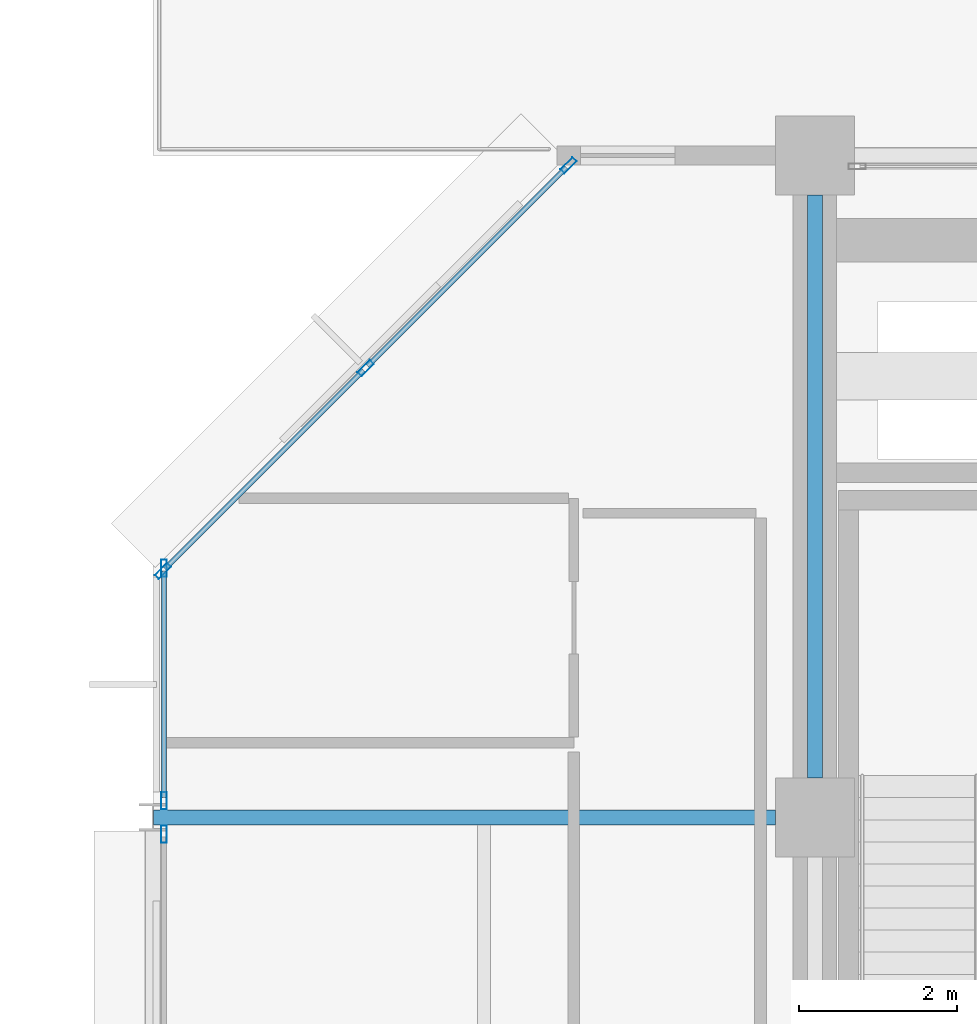
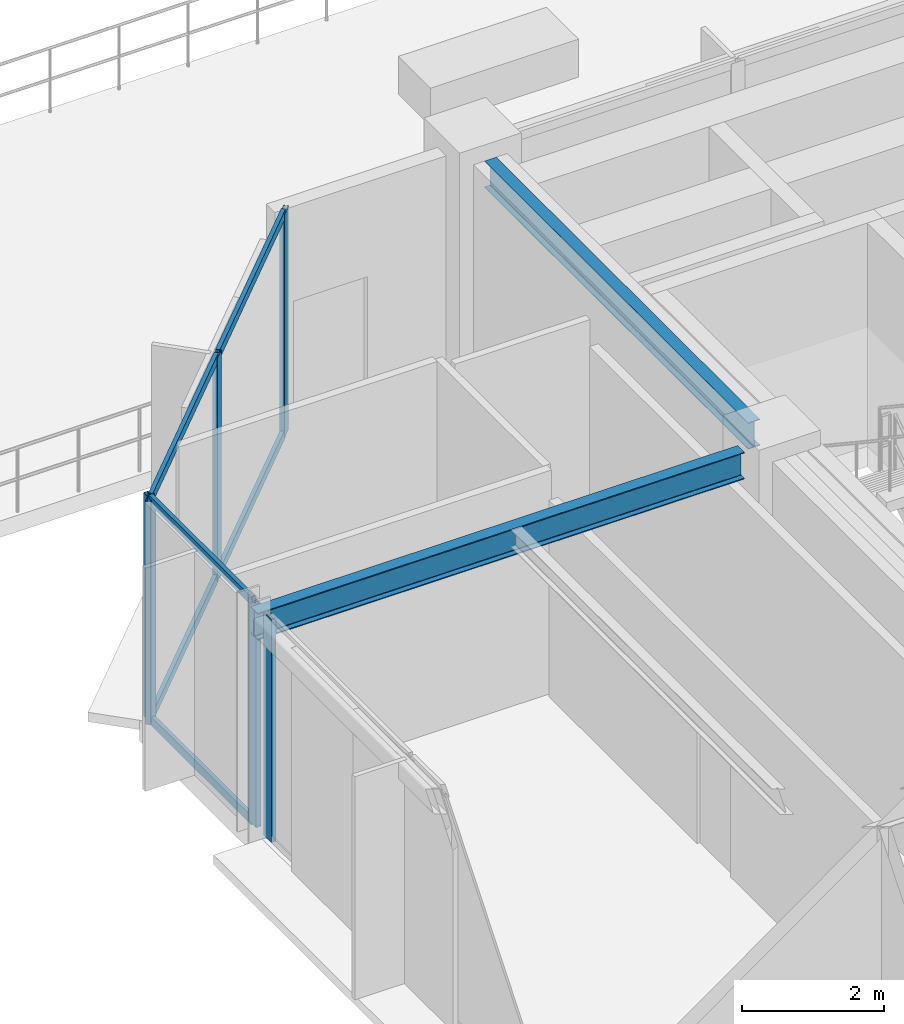
# One storey, part 12 of 21: 12 members, 2 beams, 3 elements without a shape of their own.
"""IFC4 building model written with IfcOpenShell, lengths in metres."""

import ifcopenshell
import ifcopenshell.guid

model = None  # the IFC model being written
_history = None  # IfcOwnerHistory: only IFC2X3 demands one
_inside = {}  # id of a spatial element -> (the spatial element, [elements in it])
_under = {}  # id of a project, library or spatial element -> (it, [spatial elements below it])
_declared = {}  # id of a project -> (the project, [libraries it declares])
_typed = {}  # id of a type object -> (the type object, [elements of that type])
_made_of = {}  # id of a material, layer set ... -> (it, [elements and type objects made of it])


def new_model(schema):
    """Start an empty IFC model of exactly this schema.

    Asked for "IFC4X3", IfcOpenShell would pick the latest addendum, in which some entities
    have other attributes; the version numbers below select the first issue.
    IFC2X3 requires an IfcOwnerHistory on every rooted entity: one is made here for all.
    """
    global model, _history
    if schema == "IFC4X3":
        model = ifcopenshell.file(schema_version=(4, 3, 0, 0))
    else:
        model = ifcopenshell.file(schema=schema)
    _inside.clear()
    _under.clear()
    _declared.clear()
    _typed.clear()
    _made_of.clear()
    _history = None
    if model.schema == "IFC2X3":
        org = make("IfcOrganization", Name="unknown")
        user = make(
            "IfcPersonAndOrganization",
            ThePerson=make("IfcPerson", FamilyName="unknown"),
            TheOrganization=org,
        )
        app = make(
            "IfcApplication",
            ApplicationDeveloper=org,
            Version="unknown",
            ApplicationFullName="unknown",
            ApplicationIdentifier="unknown",
        )
        _history = make(
            "IfcOwnerHistory",
            OwningUser=user,
            OwningApplication=app,
            ChangeAction="ADDED",
            CreationDate=0,
        )
    return model


def make(cls, **values):
    """One entity of the class cls with the attributes given. An attribute that is None is left unset."""
    return model.create_entity(
        cls, **{name: value for name, value in values.items() if value is not None}
    )


def rooted(cls, **values):
    """An entity with a GlobalId (a new one), such as an element, a storey or a relation."""
    return make(cls, GlobalId=ifcopenshell.guid.new(), OwnerHistory=_history, **values)


def si_unit(unit_type, name, prefix=None):
    """IfcSIUnit, for example si_unit("LENGTHUNIT", "METRE", prefix="MILLI")."""
    return make("IfcSIUnit", UnitType=unit_type, Prefix=prefix, Name=name)


def assignment(units):
    """IfcUnitAssignment: the units of a project."""
    return None if units is None else make("IfcUnitAssignment", Units=units)


def point(xyz):
    """IfcCartesianPoint."""
    return None if xyz is None else make("IfcCartesianPoint", Coordinates=xyz)


def direction(xyz):
    """IfcDirection."""
    return None if xyz is None else make("IfcDirection", DirectionRatios=xyz)


def frame(location, z_axis=None, x_axis=None):
    """IfcAxis2Placement3D, a coordinate frame: its origin and axes. An axis left out is left unset."""
    return make(
        "IfcAxis2Placement3D",
        Location=point(location),
        Axis=direction(z_axis),
        RefDirection=direction(x_axis),
    )


def frame_2d(location, x_axis=None):
    """IfcAxis2Placement2D, a coordinate frame in the plane: its origin and x axis."""
    return make(
        "IfcAxis2Placement2D", Location=point(location), RefDirection=direction(x_axis)
    )


def origin():
    """The frame at (0, 0, 0) with its axes left unset."""
    return frame((0.0, 0.0, 0.0))


def origin_2d():
    """The frame at (0, 0) in the plane with its x axis left unset."""
    return frame_2d((0.0, 0.0))


def place(relative_to, where):
    """IfcLocalPlacement: puts the frame where relative to a parent placement (None: the world)."""
    return make(
        "IfcLocalPlacement", PlacementRelTo=relative_to, RelativePlacement=where
    )


def context(
    kind, dimensions, precision=None, world=None, true_north=None, identifier=None
):
    """IfcGeometricRepresentationContext, for example the 3D "Model" context."""
    return make(
        "IfcGeometricRepresentationContext",
        ContextIdentifier=identifier,
        ContextType=kind,
        CoordinateSpaceDimension=dimensions,
        Precision=precision,
        WorldCoordinateSystem=world,
        TrueNorth=true_north,
    )


def subcontext(parent, identifier, kind, view, scale=None):
    """IfcGeometricRepresentationSubContext, for example "Body" below "Model"."""
    return make(
        "IfcGeometricRepresentationSubContext",
        ContextIdentifier=identifier,
        ContextType=kind,
        ParentContext=parent,
        TargetScale=scale,
        TargetView=view,
    )


def project(units=None, contexts=None):
    """IfcProject with its units and contexts."""
    return rooted(
        "IfcProject",
        Name="project",
        RepresentationContexts=contexts,
        UnitsInContext=assignment(units),
    )


def spatial(cls, under=None, at=None, **own):
    """A site, building, storey or space (cls), placed at a placement, below another one or the project."""
    s = rooted(cls, ObjectPlacement=at, **own)
    if under is not None:
        _under.setdefault(under.id(), (under, []))[1].append(s)
    return s


def profile(cls, at=None, kind="AREA", **sizes):
    """A parametric profile (cls). Its sizes go by their IFC names, for example OverallWidth=200.0."""
    return make(cls, ProfileType=kind, Position=at, **sizes)


def hollow_rectangle(**sizes):
    """IfcRectangleHollowProfileDef."""
    return profile("IfcRectangleHollowProfileDef", **sizes)


def i_section(**sizes):
    """IfcIShapeProfileDef."""
    return profile("IfcIShapeProfileDef", **sizes)


def extrude(swept, where, along, depth):
    """IfcExtrudedAreaSolid: the profile swept, set in the frame where, extruded along a direction by depth."""
    return make(
        "IfcExtrudedAreaSolid",
        SweptArea=swept,
        Position=where,
        ExtrudedDirection=direction(along),
        Depth=depth,
    )


def shape(context_of_items, identifier, shape_type, items):
    """IfcShapeRepresentation: the items that make up one representation, for example the "Body"."""
    return make(
        "IfcShapeRepresentation",
        ContextOfItems=context_of_items,
        RepresentationIdentifier=identifier,
        RepresentationType=shape_type,
        Items=items,
    )


def material(Name=None, Category=None):
    """IfcMaterial."""
    return make("IfcMaterial", Name=Name, Category=Category)


def layer(
    of_material, thickness, ventilated=None, Name=None, Category=None, Priority=None
):
    """IfcMaterialLayer: one layer of a wall or slab, of a material (None: an air gap)."""
    return make(
        "IfcMaterialLayer",
        Material=of_material,
        LayerThickness=thickness,
        IsVentilated=ventilated,
        Name=Name,
        Category=Category,
        Priority=Priority,
    )


def layer_set(layers, Name=None):
    """IfcMaterialLayerSet."""
    return make("IfcMaterialLayerSet", MaterialLayers=layers, LayerSetName=Name)


def material_profile(
    of_material, cross_section, Name=None, Category=None, Priority=None
):
    """IfcMaterialProfile: a cross section and its material."""
    return make(
        "IfcMaterialProfile",
        Name=Name,
        Material=of_material,
        Profile=cross_section,
        Priority=Priority,
        Category=Category,
    )


def profile_set(profiles, Name=None, composite=None):
    """IfcMaterialProfileSet."""
    return make(
        "IfcMaterialProfileSet",
        Name=Name,
        MaterialProfiles=profiles,
        CompositeProfile=composite,
    )


def made_of(thing, what):
    """Note that an element or type object is made of a material, layer set ...; save() writes the relation."""
    if what is not None:
        _made_of.setdefault(what.id(), (what, []))[1].append(thing)
    return thing


def type_object(cls, material=None, **own):
    """A type object (cls), such as IfcWallType, which elements share."""
    return made_of(rooted(cls, **own), material)


def element(
    cls,
    number,
    at=None,
    inside=None,
    cuts=None,
    type_object=None,
    material=None,
    context=None,
    identifier="Body",
    shape_type=None,
    held_by="IfcProductDefinitionShape",
    body=None,
    shapes=None,
    **own,
):
    """One element of the class cls, such as IfcWall. Its Tag is "e" and its number.

    at: its placement. inside: the storey or other place that contains it. cuts: it is an
    opening in that element (IfcRelVoidsElement). A single representation is given by context,
    identifier, shape_type and body (its items); several are given by shapes. held_by: the class
    of the entity that holds the representations. save() writes the other relations.
    """
    e = rooted(cls, Tag="e%d" % number, ObjectPlacement=at, **own)
    if body is not None:
        shapes = [shape(context, identifier, shape_type, body)]
    if shapes is not None:
        e.Representation = make(held_by, Representations=shapes)
    if inside is not None:
        _inside.setdefault(inside.id(), (inside, []))[1].append(e)
    if cuts is not None:
        rooted(
            "IfcRelVoidsElement", RelatingBuildingElement=cuts, RelatedOpeningElement=e
        )
    if type_object is not None:
        _typed.setdefault(type_object.id(), (type_object, []))[1].append(e)
    return made_of(e, material)


def aggregate(whole, parts):
    """IfcRelAggregates: a whole, such as a stair, and the parts it consists of."""
    return rooted("IfcRelAggregates", RelatingObject=whole, RelatedObjects=parts)


def save(model, path):
    """Write the relations noted so far, then the file.

    IfcRelAggregates (storeys below a building ...), IfcRelContainedInSpatialStructure (elements
    in a storey), IfcRelDefinesByType, IfcRelAssociatesMaterial and IfcRelDeclares: one each for
    every whole, place, type object, material and project.
    """
    for whole, parts in _under.values():
        aggregate(whole, parts)
    for where, things in _inside.values():
        rooted(
            "IfcRelContainedInSpatialStructure",
            RelatedElements=things,
            RelatingStructure=where,
        )
    for kind, things in _typed.values():
        rooted("IfcRelDefinesByType", RelatedObjects=things, RelatingType=kind)
    for what, things in _made_of.values():
        rooted("IfcRelAssociatesMaterial", RelatedObjects=things, RelatingMaterial=what)
    for by, libraries in _declared.values():
        rooted("IfcRelDeclares", RelatingContext=by, RelatedDefinitions=libraries)
    model.write(path)


model = new_model("IFC4")

# Units and contexts
model_context = context("Model", 3, precision=1e-05, world=origin(), true_north=direction((0.0, 1.0)))
body_context = subcontext(model_context, "Body", "Model", "MODEL_VIEW")
ifc_project = project(units=[si_unit("LENGTHUNIT", "METRE"), si_unit("AREAUNIT", "SQUARE_METRE"), si_unit("VOLUMEUNIT", "CUBIC_METRE"), si_unit("PLANEANGLEUNIT", "RADIAN"), si_unit("MASSUNIT", "GRAM", prefix="KILO")], contexts=[model_context])

# Site, building, storey
site_placement = place(None, origin())
site = spatial("IfcSite", under=ifc_project, at=site_placement, CompositionType="ELEMENT")
building_placement = place(site_placement, origin())
building = spatial("IfcBuilding", under=site, at=building_placement, Name="Nerrivon Quay Data Exchange", CompositionType="ELEMENT")
storey_placement = place(building_placement, frame((0.0, 0.0, 220.60009765625)))
storey = spatial("IfcBuildingStorey", under=building, at=storey_placement, Name="L52", CompositionType="ELEMENT", Elevation=220.60009765625)

# Beams
ifc_material_1 = material(Name="Steel Grade 350", Category="steel")
ifc_material_profile_1 = material_profile(ifc_material_1, i_section(OverallWidth=0.19091796875, OverallDepth=0.4599609375, WebThickness=0.010009765625, FlangeThickness=0.01611328125, FilletRadius=0.011474609375, at=origin_2d()), Name="460UB82.1")
ifc_profile_set_1 = profile_set([ifc_material_profile_1], Name="Steel Grade 350")
beam_type_1 = type_object("IfcBeamType", Name="BM-G5-460UB82", PredefinedType="BEAM", material=ifc_profile_set_1)
beam_1_placement = place(storey_placement, frame((0.010009765625, 33.60009765625, 3.594970703125), z_axis=(1.0, 0.0, 0.0), x_axis=(0.0, 1.0, 0.0)))
element("IfcBeam", 1, at=beam_1_placement, inside=storey, type_object=beam_type_1, Name="L52 EW Girder Y=33.6 (0.0..8.4)", PredefinedType="BEAM", context=body_context, shape_type="SweptSolid", body=[
    extrude(i_section(OverallWidth=0.19091796875, OverallDepth=0.4599609375, WebThickness=0.010009765625, FlangeThickness=0.01611328125, FilletRadius=0.011474609375, at=origin_2d()), origin(), (0.0, 0.0, 1.0), 7.889892578125),
])
ifc_material_profile_2 = material_profile(ifc_material_1, i_section(OverallWidth=0.18994140625, OverallDepth=0.4541015625, WebThickness=0.008544921875, FlangeThickness=0.0126953125, FilletRadius=0.011474609375, at=origin_2d()), Name="460UB67.1")
ifc_profile_set_2 = profile_set([ifc_material_profile_2], Name="Steel Grade 350")
beam_type_2 = type_object("IfcBeamType", Name="BM-G6-460UB67", PredefinedType="BEAM", material=ifc_profile_set_2)
beam_2_placement = place(storey_placement, frame((8.39990234375, 34.10009765625, 3.597900390625), z_axis=(0.0, 1.0, 0.0), x_axis=(-1.0, 0.0, 0.0)))
element("IfcBeam", 2, at=beam_2_placement, inside=storey, type_object=beam_type_2, Name="L52 NS Girder X=8.4 (33.6..42.0)", PredefinedType="BEAM", context=body_context, shape_type="SweptSolid", body=[
    extrude(i_section(OverallWidth=0.18994140625, OverallDepth=0.4541015625, WebThickness=0.008544921875, FlangeThickness=0.0126953125, FilletRadius=0.011474609375, at=origin_2d()), origin(), (0.0, 0.0, 1.0), 7.39990234375),
])

# Curtain wall, member
ifc_material_2 = material(Name="Anodised aluminium 6063-T6", Category="aluminium")
ifc_layer = layer(ifc_material_2, 0.22998046875)
ifc_layer_set = layer_set([ifc_layer], Name="Anodised aluminium 6063-T6")
curtain_wall_type = type_object("IfcCurtainWallType", Name="CW-SYS-05", PredefinedType="NOTDEFINED", material=ifc_layer_set)
curtain_wall_1_placement = place(storey_placement, origin())
curtain_wall_1 = element("IfcCurtainWall", 3, at=curtain_wall_1_placement, inside=storey, type_object=curtain_wall_type, Name="L52 Unitised Curtain Wall 14", PredefinedType="NOTDEFINED")
ifc_material_profile_3 = material_profile(ifc_material_2, hollow_rectangle(XDim=0.074951171875, YDim=0.219970703125, WallThickness=0.00390625, at=origin_2d()), Name="ALU-MULL-220x75")
ifc_profile_set_3 = profile_set([ifc_material_profile_3], Name="Anodised aluminium 6063-T6")
member_type_1 = type_object("IfcMemberType", Name="CWM-220x75", PredefinedType="MULLION", material=ifc_profile_set_3)
member_1_placement = place(storey_placement, frame((0.139892578125, 33.387451171875, 0.0), z_axis=(0.0, 0.0, 1.0), x_axis=(-1.0, 0.0, 0.0)))
member_1 = element("IfcMember", 4, at=member_1_placement, type_object=member_type_1, Name="CW05 mullion 3", PredefinedType="MULLION", context=body_context, shape_type="SweptSolid", body=[
    extrude(hollow_rectangle(XDim=0.074951171875, YDim=0.219970703125, WallThickness=0.00390625, at=origin_2d()), origin(), (0.0, 0.0, 1.0), 3.824951171875),
])
aggregate(curtain_wall_1, [member_1])

# Curtain wall, members
curtain_wall_2_placement = place(storey_placement, origin())
curtain_wall_2 = element("IfcCurtainWall", 5, at=curtain_wall_2_placement, inside=storey, type_object=curtain_wall_type, Name="L52 Unitised Curtain Wall 15", PredefinedType="NOTDEFINED")
member_2_placement = place(storey_placement, frame((0.139892578125, 33.8125, 0.0), z_axis=(0.0, 0.0, 1.0), x_axis=(-1.0, 0.0, 0.0)))
member_2 = element("IfcMember", 6, at=member_2_placement, type_object=member_type_1, Name="CW05 mullion 1", PredefinedType="MULLION", context=body_context, shape_type="SweptSolid", body=[
    extrude(hollow_rectangle(XDim=0.074951171875, YDim=0.219970703125, WallThickness=0.00390625, at=origin_2d()), origin(), (0.0, 0.0, 1.0), 3.824951171875),
])
member_3_placement = place(storey_placement, frame((0.139892578125, 36.762451171875, 0.0), z_axis=(0.0, 0.0, 1.0), x_axis=(-1.0, 0.0, 0.0)))
member_3 = element("IfcMember", 7, at=member_3_placement, type_object=member_type_1, Name="CW05 mullion 2", PredefinedType="MULLION", context=body_context, shape_type="SweptSolid", body=[
    extrude(hollow_rectangle(XDim=0.074951171875, YDim=0.219970703125, WallThickness=0.00390625, at=origin_2d()), origin(), (0.0, 0.0, 1.0), 3.824951171875),
])

curtain_wall_3_placement = place(storey_placement, origin())
curtain_wall_3 = element("IfcCurtainWall", 8, at=curtain_wall_3_placement, inside=storey, type_object=curtain_wall_type, Name="L52 Unitised Curtain Wall 16", PredefinedType="NOTDEFINED")
member_4_placement = place(storey_placement, frame((0.12548828125, 36.7275390625, 0.0), z_axis=(0.0, 0.0, 1.0), x_axis=(-0.707106781187, 0.707106781187, 0.0)))
member_4 = element("IfcMember", 9, at=member_4_placement, type_object=member_type_1, Name="CW05 mullion 1", PredefinedType="MULLION", context=body_context, shape_type="SweptSolid", body=[
    extrude(hollow_rectangle(XDim=0.074951171875, YDim=0.219970703125, WallThickness=0.00390625, at=origin_2d()), origin(), (0.0, 0.0, 1.0), 3.824951171875),
])
member_5_placement = place(storey_placement, frame((2.698974609375, 39.301025390625, 0.0), z_axis=(0.0, 0.0, 1.0), x_axis=(-0.707106781187, 0.707106781187, 0.0)))
member_5 = element("IfcMember", 10, at=member_5_placement, type_object=member_type_1, Name="CW05 mullion 2", PredefinedType="MULLION", context=body_context, shape_type="SweptSolid", body=[
    extrude(hollow_rectangle(XDim=0.074951171875, YDim=0.219970703125, WallThickness=0.00390625, at=origin_2d()), origin(), (0.0, 0.0, 1.0), 3.824951171875),
])
member_6_placement = place(storey_placement, frame((5.2724609375, 41.87451171875, 0.0), z_axis=(0.0, 0.0, 1.0), x_axis=(-0.707106781187, 0.707106781187, 0.0)))
member_6 = element("IfcMember", 11, at=member_6_placement, type_object=member_type_1, Name="CW05 mullion 3", PredefinedType="MULLION", context=body_context, shape_type="SweptSolid", body=[
    extrude(hollow_rectangle(XDim=0.074951171875, YDim=0.219970703125, WallThickness=0.00390625, at=origin_2d()), origin(), (0.0, 0.0, 1.0), 3.824951171875),
])

# Member
ifc_material_profile_4 = material_profile(ifc_material_2, hollow_rectangle(XDim=0.06494140625, YDim=0.14990234375, WallThickness=0.00341796875, at=origin_2d()), Name="ALU-TRAN-150x65")
ifc_profile_set_4 = profile_set([ifc_material_profile_4], Name="Anodised aluminium 6063-T6")
member_type_2 = type_object("IfcMemberType", Name="CWT-150x65", PredefinedType="USERDEFINED", material=ifc_profile_set_4)
member_7_placement = place(storey_placement, frame((0.139892578125, 33.85009765625, 0.032470703125), z_axis=(0.0, 1.0, 0.0), x_axis=(-1.0, 0.0, 0.0)))
member_7 = element("IfcMember", 12, at=member_7_placement, type_object=member_type_2, Name="CW05 transom 1.1", ObjectType="TRANSOM", PredefinedType="USERDEFINED", context=body_context, shape_type="SweptSolid", body=[
    extrude(hollow_rectangle(XDim=0.06494140625, YDim=0.14990234375, WallThickness=0.00341796875, at=origin_2d()), origin(), (0.0, 0.0, 1.0), 2.875),
])

member_8_placement = place(storey_placement, frame((0.139892578125, 33.85009765625, 3.79248046875), z_axis=(0.0, 1.0, 0.0), x_axis=(-1.0, 0.0, 0.0)))
member_8 = element("IfcMember", 13, at=member_8_placement, type_object=member_type_2, Name="CW05 transom 1.2", ObjectType="TRANSOM", PredefinedType="USERDEFINED", context=body_context, shape_type="SweptSolid", body=[
    extrude(hollow_rectangle(XDim=0.06494140625, YDim=0.14990234375, WallThickness=0.00341796875, at=origin_2d()), origin(), (0.0, 0.0, 1.0), 2.875),
])

aggregate(curtain_wall_2, [member_2, member_3, member_7, member_8])

member_9_placement = place(storey_placement, frame((0.152099609375, 36.754150390625, 0.032470703125), z_axis=(0.707106781187, 0.707106781187, 0.0), x_axis=(-0.707106781187, 0.707106781187, 0.0)))
member_9 = element("IfcMember", 14, at=member_9_placement, type_object=member_type_2, Name="CW05 transom 1.1", ObjectType="TRANSOM", PredefinedType="USERDEFINED", context=body_context, shape_type="SweptSolid", body=[
    extrude(hollow_rectangle(XDim=0.06494140625, YDim=0.14990234375, WallThickness=0.00341796875, at=origin_2d()), origin(), (0.0, 0.0, 1.0), 3.564208984375),
])

member_10_placement = place(storey_placement, frame((0.152099609375, 36.754150390625, 3.79248046875), z_axis=(0.707106781187, 0.707106781187, 0.0), x_axis=(-0.707106781187, 0.707106781187, 0.0)))
member_10 = element("IfcMember", 15, at=member_10_placement, type_object=member_type_2, Name="CW05 transom 1.2", ObjectType="TRANSOM", PredefinedType="USERDEFINED", context=body_context, shape_type="SweptSolid", body=[
    extrude(hollow_rectangle(XDim=0.06494140625, YDim=0.14990234375, WallThickness=0.00341796875, at=origin_2d()), origin(), (0.0, 0.0, 1.0), 3.564208984375),
])

member_11_placement = place(storey_placement, frame((2.7255859375, 39.32763671875, 0.032470703125), z_axis=(0.707106781187, 0.707106781187, 0.0), x_axis=(-0.707106781187, 0.707106781187, 0.0)))
member_11 = element("IfcMember", 16, at=member_11_placement, type_object=member_type_2, Name="CW05 transom 2.1", ObjectType="TRANSOM", PredefinedType="USERDEFINED", context=body_context, shape_type="SweptSolid", body=[
    extrude(hollow_rectangle(XDim=0.06494140625, YDim=0.14990234375, WallThickness=0.00341796875, at=origin_2d()), origin(), (0.0, 0.0, 1.0), 3.564208984375),
])

member_12_placement = place(storey_placement, frame((2.7255859375, 39.32763671875, 3.79248046875), z_axis=(0.707106781187, 0.707106781187, 0.0), x_axis=(-0.707106781187, 0.707106781187, 0.0)))
member_12 = element("IfcMember", 17, at=member_12_placement, type_object=member_type_2, Name="CW05 transom 2.2", ObjectType="TRANSOM", PredefinedType="USERDEFINED", context=body_context, shape_type="SweptSolid", body=[
    extrude(hollow_rectangle(XDim=0.06494140625, YDim=0.14990234375, WallThickness=0.00341796875, at=origin_2d()), origin(), (0.0, 0.0, 1.0), 3.564208984375),
])

aggregate(curtain_wall_3, [member_4, member_5, member_6, member_9, member_10, member_11, member_12])

save(model, "model.ifc")
